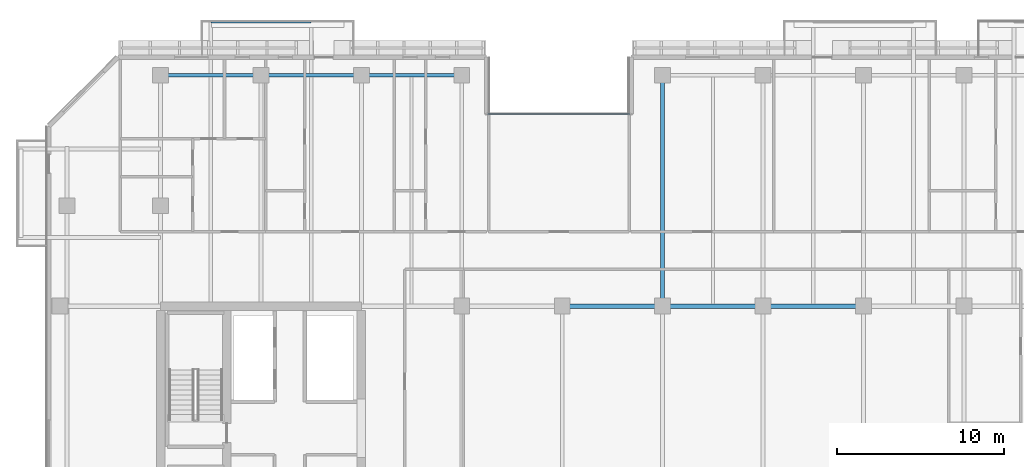
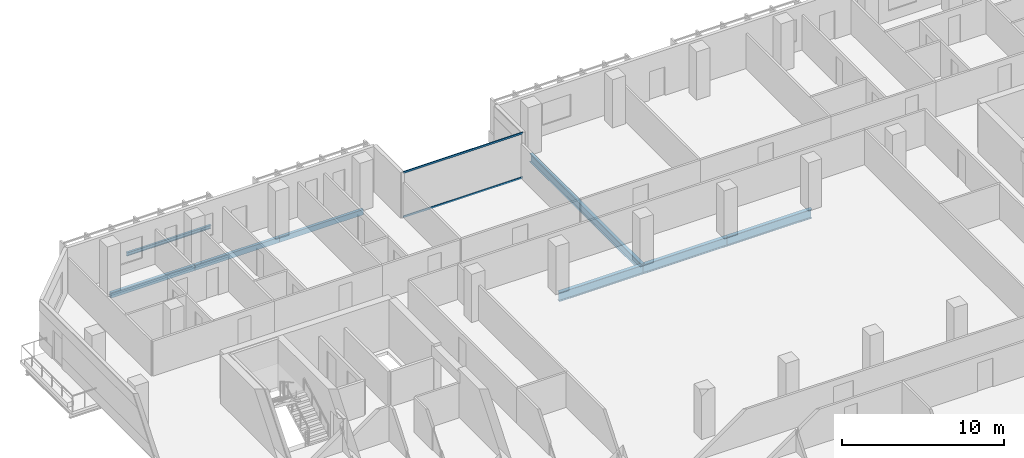
# One storey, part 7 of 22: 8 beams, 2 members, 1 element without a shape of its own.
"""IFC4 building model written with IfcOpenShell, lengths in metres."""

from ifc_helpers import new_model, si_unit, direction, frame, origin, origin_2d, place, context, subcontext, project, spatial, hollow_rectangle, i_section, extrude, material, layer, layer_set, material_profile, profile_set, type_object, element, aggregate, save


model = new_model("IFC4")

# Units and contexts
model_context = context("Model", 3, precision=1e-05, world=origin(), true_north=direction((0.0, 1.0)))
body_context = subcontext(model_context, "Body", "Model", "MODEL_VIEW")
ifc_project = project(units=[si_unit("LENGTHUNIT", "METRE"), si_unit("AREAUNIT", "SQUARE_METRE"), si_unit("VOLUMEUNIT", "CUBIC_METRE"), si_unit("PLANEANGLEUNIT", "RADIAN"), si_unit("MASSUNIT", "GRAM", prefix="KILO")], contexts=[model_context])

# Site, building, storey
site_placement = place(None, origin())
site = spatial("IfcSite", under=ifc_project, at=site_placement, CompositionType="ELEMENT")
building_placement = place(site_placement, origin())
building = spatial("IfcBuilding", under=site, at=building_placement, Name="Tanjung Sevakor Pilgrim Tower", CompositionType="ELEMENT")
storey_placement = place(building_placement, frame((0.0, 0.0, 115.830078125)))
storey = spatial("IfcBuildingStorey", under=building, at=storey_placement, Name="L32", CompositionType="ELEMENT", Elevation=115.830078125)

# Beams
ifc_material_1 = material(Name="Steel S355J2", Category="steel")
ifc_material_profile_1 = material_profile(ifc_material_1, i_section(OverallWidth=0.25439453125, OverallDepth=0.6875, WebThickness=0.01318359375, FlangeThickness=0.02099609375, FilletRadius=0.01513671875, at=origin_2d()))
ifc_profile_set_1 = profile_set([ifc_material_profile_1], Name="Steel S355J2")
beam_type_1 = type_object("IfcBeamType", Name="BM-B-G2-UB_686x254x152", PredefinedType="BEAM", material=ifc_profile_set_1)
for number, where, z_axis, x_axis, name in (
    (1, (48.0, 42.60009765625, -0.56396484375), (1.0, 0.0, 0.0), (0.0, 1.0, 0.0), "L32 Primary Floor Girder MAIN Y426-04"),
    (2, (54.0, 42.60009765625, -0.56396484375), (1.0, 0.0, 0.0), (0.0, 1.0, 0.0), "L32 Primary Floor Girder MAIN Y426-05"),
    (3, (60.0, 42.60009765625, -0.56396484375), (1.0, 0.0, 0.0), (0.0, 1.0, 0.0), "L32 Primary Floor Girder MAIN Y426-06"),
):
    element("IfcBeam", number, at=place(storey_placement, frame(where, z_axis=z_axis, x_axis=x_axis)), inside=storey, type_object=beam_type_1, Name=name, PredefinedType="BEAM", context=body_context, shape_type="SweptSolid", body=[
        extrude(i_section(OverallWidth=0.25439453125, OverallDepth=0.6875, WebThickness=0.01318359375, FlangeThickness=0.02099609375, FilletRadius=0.01513671875, at=origin_2d()), origin(), (0.0, 0.0, 1.0), 6.0),
    ])
ifc_material_2 = material(Name="Steel S355J2", Category="steel")
ifc_material_profile_2 = material_profile(ifc_material_2, i_section(OverallWidth=0.230224609375, OverallDepth=0.6171875, WebThickness=0.01318359375, FlangeThickness=0.022216796875, FilletRadius=0.0126953125, at=origin_2d()))
ifc_profile_set_2 = profile_set([ifc_material_profile_2], Name="Steel S355J2")
beam_type_2 = type_object("IfcBeamType", Name="BM-B-G3-UB_610x229x140", PredefinedType="BEAM", material=ifc_profile_set_2)
beam_1_placement = place(storey_placement, frame((54.0, 42.60009765625, -0.528564453125), z_axis=(0.0, 1.0, 0.0), x_axis=(-1.0, 0.0, 0.0)))
element("IfcBeam", 4, at=beam_1_placement, inside=storey, type_object=beam_type_2, Name="L32 MAIN Girder 015", PredefinedType="BEAM", context=body_context, shape_type="SweptSolid", body=[
    extrude(i_section(OverallWidth=0.230224609375, OverallDepth=0.6171875, WebThickness=0.01318359375, FlangeThickness=0.022216796875, FilletRadius=0.0126953125, at=origin_2d()), origin(), (0.0, 0.0, 1.0), 13.7998046875),
])
ifc_material_3 = material(Name="Steel S355J2", Category="steel")
ifc_material_profile_3 = material_profile(ifc_material_3, i_section(OverallWidth=0.146484375, OverallDepth=0.256103515625, WebThickness=0.00634765625, FlangeThickness=0.010986328125, FilletRadius=0.007568359375, at=origin_2d()))
ifc_profile_set_3 = profile_set([ifc_material_profile_3], Name="Steel S355J2")
beam_type_3 = type_object("IfcBeamType", Name="BM-B-J6-UB_254x146x37", PredefinedType="JOIST", material=ifc_profile_set_3)
beam_2_placement = place(storey_placement, frame((27.0, 59.580078125, -0.328125), z_axis=(1.0, 0.0, 0.0), x_axis=(0.0, 1.0, 0.0)))
element("IfcBeam", 5, at=beam_2_placement, inside=storey, type_object=beam_type_3, Name="L32 Balcony Rim Tie MAIN-N1", PredefinedType="JOIST", context=body_context, shape_type="SweptSolid", body=[
    extrude(i_section(OverallWidth=0.146484375, OverallDepth=0.256103515625, WebThickness=0.00634765625, FlangeThickness=0.010986328125, FilletRadius=0.007568359375, at=origin_2d()), origin(), (0.0, 0.0, 1.0), 6.0),
])
ifc_material_4 = material(Name="Steel S355J2", Category="steel")
ifc_material_profile_4 = material_profile(ifc_material_4, hollow_rectangle(XDim=0.199951171875, YDim=0.39990234375, WallThickness=0.01611328125, at=origin_2d()))
ifc_profile_set_4 = profile_set([ifc_material_profile_4], Name="Steel S355J2")
beam_type_4 = type_object("IfcBeamType", Name="BM-B-SP2-RHS_400x200x16", PredefinedType="SPANDREL", material=ifc_profile_set_4)
for number, where, z_axis, x_axis, name in (
    (6, (24.0, 56.39990234375, -0.420166015625), (1.0, 0.0, 0.0), (0.0, 1.0, 0.0), "L32 Spandrel MAIN N-02"),
    (7, (30.0, 56.39990234375, -0.420166015625), (1.0, 0.0, 0.0), (0.0, 1.0, 0.0), "L32 Spandrel MAIN N-04"),
    (8, (36.0, 56.39990234375, -0.420166015625), (1.0, 0.0, 0.0), (0.0, 1.0, 0.0), "L32 Spandrel MAIN N-06"),
):
    element("IfcBeam", number, at=place(storey_placement, frame(where, z_axis=z_axis, x_axis=x_axis)), inside=storey, type_object=beam_type_4, Name=name, PredefinedType="SPANDREL", context=body_context, shape_type="SweptSolid", body=[
        extrude(hollow_rectangle(XDim=0.199951171875, YDim=0.39990234375, WallThickness=0.01611328125, at=origin_2d()), origin(), (0.0, 0.0, 1.0), 6.0),
    ])

# Curtain wall, members
ifc_material_5 = material(Name="Aluminium 6063-T6 and Low-E Glass", Category="aluminium")
ifc_layer = layer(ifc_material_5, 0.179931640625)
ifc_layer_set = layer_set([ifc_layer], Name="CW-SYS-CLEFT")
curtain_wall_type = type_object("IfcCurtainWallType", Name="CW-SYS-CLEFT", PredefinedType="NOTDEFINED", material=ifc_layer_set)
curtain_wall_placement = place(storey_placement, origin())
curtain_wall = element("IfcCurtainWall", 9, at=curtain_wall_placement, inside=storey, type_object=curtain_wall_type, Name="L32 Curtain Wall CW-CLF-L32-10", PredefinedType="NOTDEFINED")
ifc_material_6 = material(Name="Aluminium 6063-T6", Category="aluminium")
ifc_material_profile_5 = material_profile(ifc_material_6, hollow_rectangle(XDim=0.06494140625, YDim=0.139892578125, WallThickness=0.00390625, at=origin_2d()))
ifc_profile_set_5 = profile_set([ifc_material_profile_5], Name="Aluminium 6063-T6")
member_type = type_object("IfcMemberType", Name="TYPE-CWT-1", PredefinedType="USERDEFINED", material=ifc_profile_set_5)
member_1_placement = place(storey_placement, frame((52.050048828125, 54.074951171875, 0.032470703125), z_axis=(-1.0, 0.0, 0.0), x_axis=(0.0, -1.0, 0.0)))
member_1 = element("IfcMember", 10, at=member_1_placement, type_object=member_type, Name="CW-CLF transom 1.1", ObjectType="TRANSOM", PredefinedType="USERDEFINED", context=body_context, shape_type="SweptSolid", body=[
    extrude(hollow_rectangle(XDim=0.06494140625, YDim=0.139892578125, WallThickness=0.00390625, at=origin_2d()), origin(), (0.0, 0.0, 1.0), 8.5),
])
member_2_placement = place(storey_placement, frame((52.050048828125, 54.074951171875, 3.37744140625), z_axis=(-1.0, 0.0, 0.0), x_axis=(0.0, -1.0, 0.0)))
member_2 = element("IfcMember", 11, at=member_2_placement, type_object=member_type, Name="CW-CLF transom 1.2", ObjectType="TRANSOM", PredefinedType="USERDEFINED", context=body_context, shape_type="SweptSolid", body=[
    extrude(hollow_rectangle(XDim=0.06494140625, YDim=0.139892578125, WallThickness=0.00390625, at=origin_2d()), origin(), (0.0, 0.0, 1.0), 8.5),
])
aggregate(curtain_wall, [member_1, member_2])

save(model, "model.ifc")
